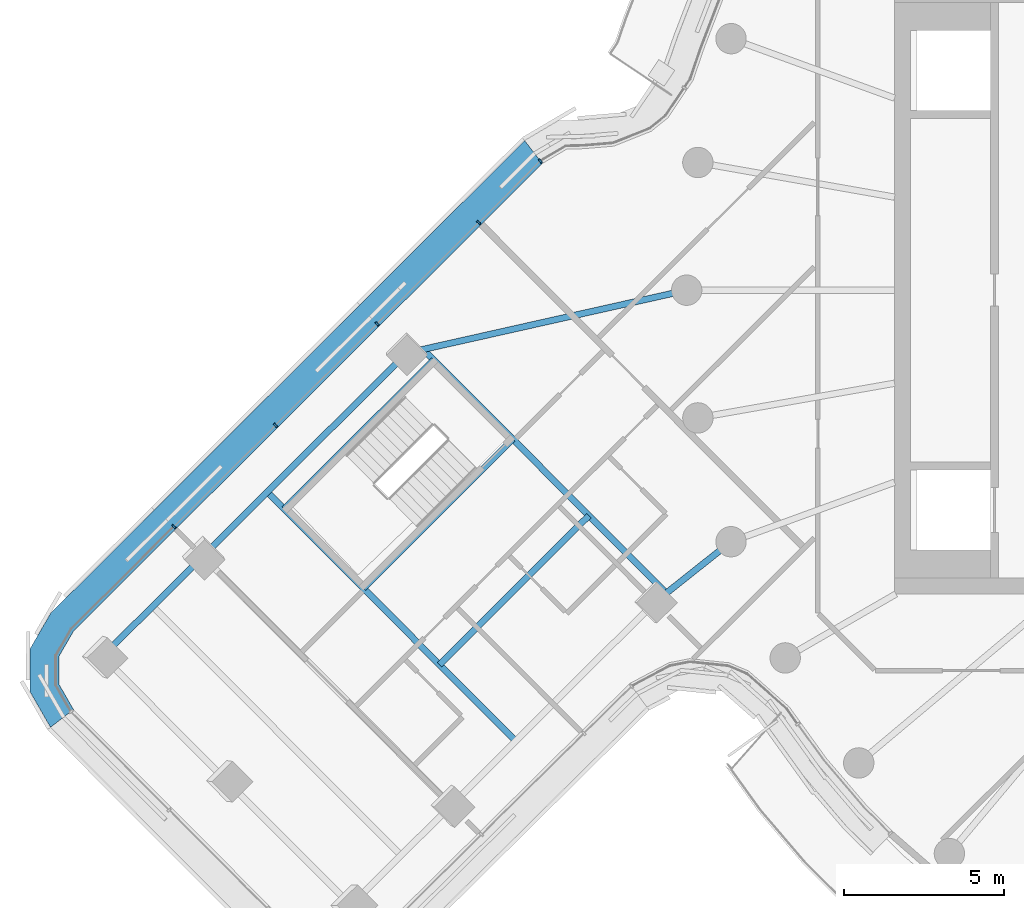
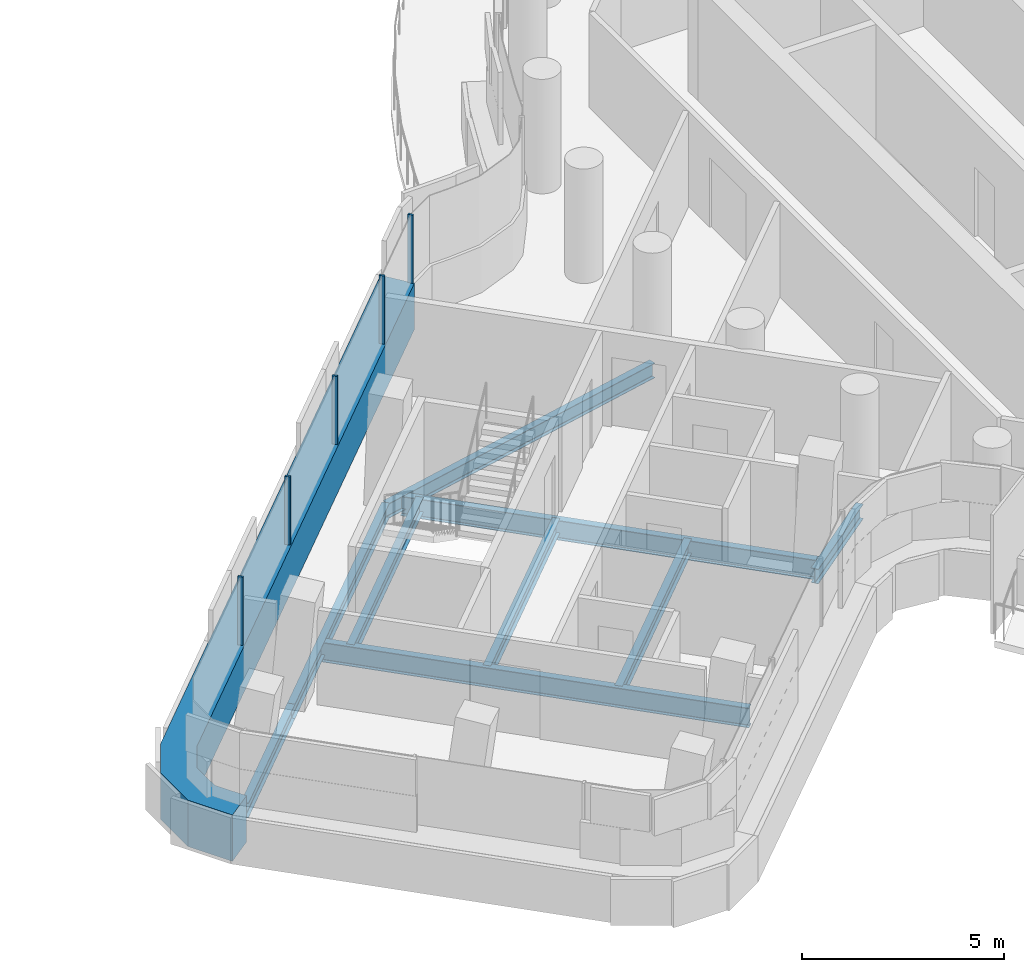
# One storey, part 8 of 31: 9 beams, 6 members, 1 element without a shape of its own.
"""IFC4 building model written with IfcOpenShell, lengths in metres."""

from ifc_helpers import new_model, si_unit, direction, frame, origin, origin_2d, place, context, subcontext, project, spatial, polyline, rectangle, i_section, outline, extrude, material, layer, layer_set, material_profile, profile_set, type_object, element, aggregate, save


model = new_model("IFC4")

# Units and contexts
model_context = context("Model", 3, precision=1e-05, world=origin(), true_north=direction((0.0, 1.0)))
body_context = subcontext(model_context, "Body", "Model", "MODEL_VIEW")
ifc_project = project(units=[si_unit("LENGTHUNIT", "METRE"), si_unit("AREAUNIT", "SQUARE_METRE"), si_unit("VOLUMEUNIT", "CUBIC_METRE"), si_unit("PLANEANGLEUNIT", "RADIAN"), si_unit("MASSUNIT", "GRAM", prefix="KILO")], contexts=[model_context])

# Site, building, storey
site_placement = place(None, origin())
site = spatial("IfcSite", under=ifc_project, at=site_placement, CompositionType="ELEMENT")
building_placement = place(site_placement, origin())
building = spatial("IfcBuilding", under=site, at=building_placement, Name="Tamarind Cross Interchange Tower", CompositionType="ELEMENT")
storey_placement = place(building_placement, frame((0.0, 0.0, 196.89990234375)))
storey = spatial("IfcBuildingStorey", under=building, at=storey_placement, Name="L49", CompositionType="ELEMENT", Elevation=196.89990234375)

# Beams
ifc_material_1 = material(Name="Steel Q355B", Category="steel")
ifc_material_profile_1 = material_profile(ifc_material_1, i_section(OverallWidth=0.198974609375, OverallDepth=0.446044921875, WebThickness=0.008056640625, FlangeThickness=0.011962890625, FilletRadius=0.012939453125, at=origin_2d()), Name="HN 446x199x8x12")
ifc_profile_set_1 = profile_set([ifc_material_profile_1], Name="Steel Q355B")
beam_type_1 = type_object("IfcBeamType", Name="Composite beam HN 446x199x8x12 Q355B", PredefinedType="BEAM", material=ifc_profile_set_1)
beam_1_placement = place(storey_placement, frame((-41.27001953125, -11.452392578125, -0.36279296875), z_axis=(0.708015321489, 0.706197072025, 0.0), x_axis=(-0.706197072025, 0.708015321489, 0.0)))
element("IfcBeam", 1, at=beam_1_placement, inside=storey, type_object=beam_type_1, Name="Beam W-edgeem5", PredefinedType="BEAM", context=body_context, shape_type="SweptSolid", body=[
    extrude(i_section(OverallWidth=0.198974609375, OverallDepth=0.446044921875, WebThickness=0.008056640625, FlangeThickness=0.011962890625, FilletRadius=0.012939453125, at=origin_2d()), origin(), (0.0, 0.0, 1.0), 4.430908203125),
])
beam_2_placement = place(storey_placement, frame((-38.1328125, -8.3232421875, -0.36279296875), z_axis=(0.708014917239, 0.706197477315, 0.0), x_axis=(-0.706197477315, 0.708014917239, 0.0)))
element("IfcBeam", 2, at=beam_2_placement, inside=storey, type_object=beam_type_1, Name="Beam W-edgeem6", PredefinedType="BEAM", context=body_context, shape_type="SweptSolid", body=[
    extrude(i_section(OverallWidth=0.198974609375, OverallDepth=0.446044921875, WebThickness=0.008056640625, FlangeThickness=0.011962890625, FilletRadius=0.012939453125, at=origin_2d()), origin(), (0.0, 0.0, 1.0), 9.000244140625),
])
beam_3_placement = place(storey_placement, frame((-31.760498046875, -1.96728515625, -0.36279296875), z_axis=(0.975700950634, 0.219106492217, 0.0), x_axis=(-0.219106492217, 0.975700950634, 0.0)))
element("IfcBeam", 3, at=beam_3_placement, inside=storey, type_object=beam_type_1, Name="Beam W-linkem", PredefinedType="BEAM", context=body_context, shape_type="SweptSolid", body=[
    extrude(i_section(OverallWidth=0.198974609375, OverallDepth=0.446044921875, WebThickness=0.008056640625, FlangeThickness=0.011962890625, FilletRadius=0.012939453125, at=origin_2d()), origin(), (0.0, 0.0, 1.0), 8.978759765625),
])
beam_4_placement = place(storey_placement, frame((-23.992431640625, -9.755615234375, -0.36279296875), z_axis=(0.783168394918, 0.621809669595, 0.0), x_axis=(-0.621809669595, 0.783168394918, 0.0)))
element("IfcBeam", 4, at=beam_4_placement, inside=storey, type_object=beam_type_1, Name="Beam W-linkep", PredefinedType="BEAM", context=body_context, shape_type="SweptSolid", body=[
    extrude(i_section(OverallWidth=0.198974609375, OverallDepth=0.446044921875, WebThickness=0.008056640625, FlangeThickness=0.011962890625, FilletRadius=0.012939453125, at=origin_2d()), origin(), (0.0, 0.0, 1.0), 3.0380859375),
])
for number, where, z_axis, x_axis, name in (
    (5, (-30.912353515625, -2.1806640625, -0.36279296875), (-0.708012485977, -0.706199914827, 0.0), (0.706199914827, -0.708012485977, 0.0), "Beam W-tr0"),
    (6, (-28.440673828125, -4.65869140625, -0.36279296875), (-0.708012485977, -0.706199914827, 0.0), (0.706199914827, -0.708012485977, 0.0), "Beam W-tr1"),
):
    element("IfcBeam", number, at=place(storey_placement, frame(where, z_axis=z_axis, x_axis=x_axis)), inside=storey, type_object=beam_type_1, Name=name, PredefinedType="BEAM", context=body_context, shape_type="SweptSolid", body=[
        extrude(i_section(OverallWidth=0.198974609375, OverallDepth=0.446044921875, WebThickness=0.008056640625, FlangeThickness=0.011962890625, FilletRadius=0.012939453125, at=origin_2d()), origin(), (0.0, 0.0, 1.0), 6.599853515625),
    ])
beam_5_placement = place(storey_placement, frame((-26.05712890625, -7.048095703125, -0.36279296875), z_axis=(-0.708030933465, -0.706181419507, 0.0), x_axis=(0.706181419507, -0.708030933465, 0.0)))
element("IfcBeam", 7, at=beam_5_placement, inside=storey, type_object=beam_type_1, Name="Beam W-stripp", PredefinedType="BEAM", context=body_context, shape_type="SweptSolid", body=[
    extrude(i_section(OverallWidth=0.198974609375, OverallDepth=0.446044921875, WebThickness=0.008056640625, FlangeThickness=0.011962890625, FilletRadius=0.012939453125, at=origin_2d()), origin(), (0.0, 0.0, 1.0), 6.60009765625),
])
ifc_material_profile_2 = material_profile(ifc_material_1, i_section(OverallWidth=0.198974609375, OverallDepth=0.595947265625, WebThickness=0.010009765625, FlangeThickness=0.014892578125, FilletRadius=0.012939453125, at=origin_2d()), Name="HN 596x199x10x15")
ifc_profile_set_2 = profile_set([ifc_material_profile_2], Name="Steel Q355B")
beam_type_2 = type_object("IfcBeamType", Name="Composite beam HN 596x199x10x15 Q355B", PredefinedType="BEAM", material=ifc_profile_set_2)
beam_6_placement = place(storey_placement, frame((-31.241455078125, -1.850830078125, -0.43798828125), z_axis=(0.706210554384, -0.708001873498, 0.0), x_axis=(0.708001873498, 0.706210554384, 0.0)))
element("IfcBeam", 8, at=beam_6_placement, inside=storey, type_object=beam_type_2, Name="Beam W-x298", PredefinedType="BEAM", context=body_context, shape_type="SweptSolid", body=[
    extrude(i_section(OverallWidth=0.198974609375, OverallDepth=0.595947265625, WebThickness=0.010009765625, FlangeThickness=0.014892578125, FilletRadius=0.012939453125, at=origin_2d()), origin(), (0.0, 0.0, 1.0), 10.76708984375),
])
beam_7_placement = place(storey_placement, frame((-36.114990234375, -6.310546875, -0.43798828125), z_axis=(0.706207331924, -0.70800508779, 0.0), x_axis=(0.70800508779, 0.706207331924, 0.0)))
element("IfcBeam", 9, at=beam_7_placement, inside=storey, type_object=beam_type_2, Name="Beam W-x364", PredefinedType="BEAM", context=body_context, shape_type="SweptSolid", body=[
    extrude(i_section(OverallWidth=0.198974609375, OverallDepth=0.595947265625, WebThickness=0.010009765625, FlangeThickness=0.014892578125, FilletRadius=0.012939453125, at=origin_2d()), origin(), (0.0, 0.0, 1.0), 11.0),
])

# Curtain wall, members
ifc_material_2 = material(Name="Aluminium 6063-T6", Category="aluminium")
ifc_layer = layer(ifc_material_2, 0.139892578125)
ifc_layer_set = layer_set([ifc_layer], Name="Aluminium 6063-T6")
curtain_wall_type = type_object("IfcCurtainWallType", Name="Hotel curtain wall, 4.5 m bays", PredefinedType="NOTDEFINED", material=ifc_layer_set)
curtain_wall_placement = place(storey_placement, origin())
curtain_wall = element("IfcCurtainWall", 10, at=curtain_wall_placement, inside=storey, type_object=curtain_wall_type, Name="CWS-L49-07", PredefinedType="NOTDEFINED")
ifc_material_3 = material(Name="Aluminium and insulated spandrel panel", Category="aluminium")
member_type_1 = type_object("IfcMemberType", Name="Floor-edge blade transom", PredefinedType="USERDEFINED", material=ifc_material_3)
member_1_placement = place(storey_placement, origin())
member_1 = element("IfcMember", 11, at=member_1_placement, type_object=member_type_1, Name="CWT-L49-07", ObjectType="TRANSOM", PredefinedType="USERDEFINED", context=body_context, shape_type="SweptSolid", body=[
    extrude(outline(polyline([(-27.51416015625, 3.962890625), (-42.1728515625, -10.657958984375), (-42.631591796875, -11.4501953125), (-42.632568359375, -12.32470703125), (-42.176025390625, -13.117919921875), (-42.896728515625, -13.669677734375), (-43.532958984375, -12.564697265625), (-43.53125, -11.207763671875), (-42.892333984375, -10.1044921875), (-28.069091796875, 4.6806640625), (-27.51416015625, 3.962890625)])), origin(), (0.0, 0.0, 1.0), 1.400146484375),
])
ifc_material_profile_3 = material_profile(ifc_material_2, rectangle(XDim=0.06005859375, YDim=0.139892578125, at=origin_2d()), Name="Mullion CW2")
ifc_profile_set_3 = profile_set([ifc_material_profile_3], Name="Aluminium 6063-T6")
member_type_2 = type_object("IfcMemberType", Name="Mullion CW2", PredefinedType="MULLION", material=ifc_profile_set_3)
member_2_placement = place(storey_placement, frame((-27.575927734375, 4.042724609375, 1.400146484375), z_axis=(0.0, 0.0, 1.0), x_axis=(-0.791143065475, -0.6116311388, 0.0)))
member_2 = element("IfcMember", 12, at=member_2_placement, type_object=member_type_2, Name="CWM-L49-07-00", PredefinedType="MULLION", context=body_context, shape_type="SweptSolid", body=[
    extrude(rectangle(XDim=0.06005859375, YDim=0.139892578125, at=origin_2d()), origin(), (0.0, 0.0, 1.0), 2.06005859375),
])
member_3_placement = place(storey_placement, frame((-29.505615234375, 2.117919921875, 1.400146484375), z_axis=(0.0, 0.0, 1.0), x_axis=(-0.708014520272, -0.706197875304, 0.0)))
member_3 = element("IfcMember", 13, at=member_3_placement, type_object=member_type_2, Name="CWM-L49-07-01", PredefinedType="MULLION", context=body_context, shape_type="SweptSolid", body=[
    extrude(rectangle(XDim=0.06005859375, YDim=0.139892578125, at=origin_2d()), origin(), (0.0, 0.0, 1.0), 2.06005859375),
])
member_4_placement = place(storey_placement, frame((-32.683837890625, -1.052001953125, 1.400146484375), z_axis=(0.0, 0.0, 1.0), x_axis=(-0.708014520272, -0.706197875304, 0.0)))
member_4 = element("IfcMember", 14, at=member_4_placement, type_object=member_type_2, Name="CWM-L49-07-02", PredefinedType="MULLION", context=body_context, shape_type="SweptSolid", body=[
    extrude(rectangle(XDim=0.06005859375, YDim=0.139892578125, at=origin_2d()), origin(), (0.0, 0.0, 1.0), 2.06005859375),
])
member_5_placement = place(storey_placement, frame((-35.862060546875, -4.22216796875, 1.400146484375), z_axis=(0.0, 0.0, 1.0), x_axis=(-0.708014520272, -0.706197875304, 0.0)))
member_5 = element("IfcMember", 15, at=member_5_placement, type_object=member_type_2, Name="CWM-L49-07-03", PredefinedType="MULLION", context=body_context, shape_type="SweptSolid", body=[
    extrude(rectangle(XDim=0.06005859375, YDim=0.139892578125, at=origin_2d()), origin(), (0.0, 0.0, 1.0), 2.06005859375),
])
member_6_placement = place(storey_placement, frame((-39.0400390625, -7.39208984375, 1.400146484375), z_axis=(0.0, 0.0, 1.0), x_axis=(-0.708014520272, -0.706197875304, 0.0)))
member_6 = element("IfcMember", 16, at=member_6_placement, type_object=member_type_2, Name="CWM-L49-07-04", PredefinedType="MULLION", context=body_context, shape_type="SweptSolid", body=[
    extrude(rectangle(XDim=0.06005859375, YDim=0.139892578125, at=origin_2d()), origin(), (0.0, 0.0, 1.0), 2.06005859375),
])
aggregate(curtain_wall, [member_2, member_3, member_4, member_5, member_6, member_1])

save(model, "model.ifc")
